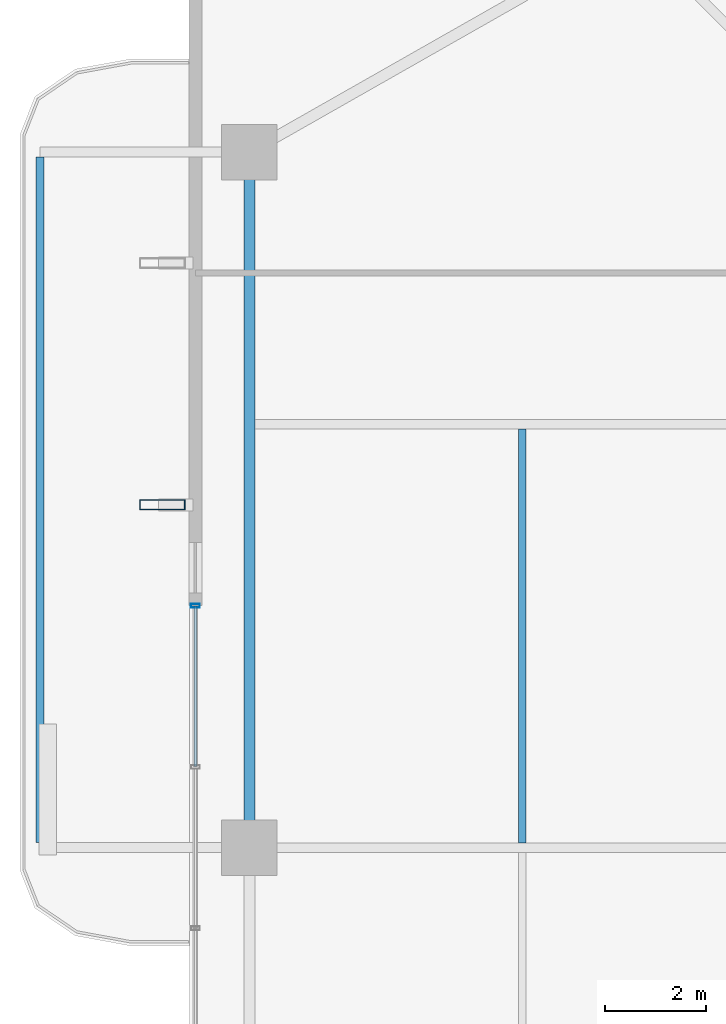
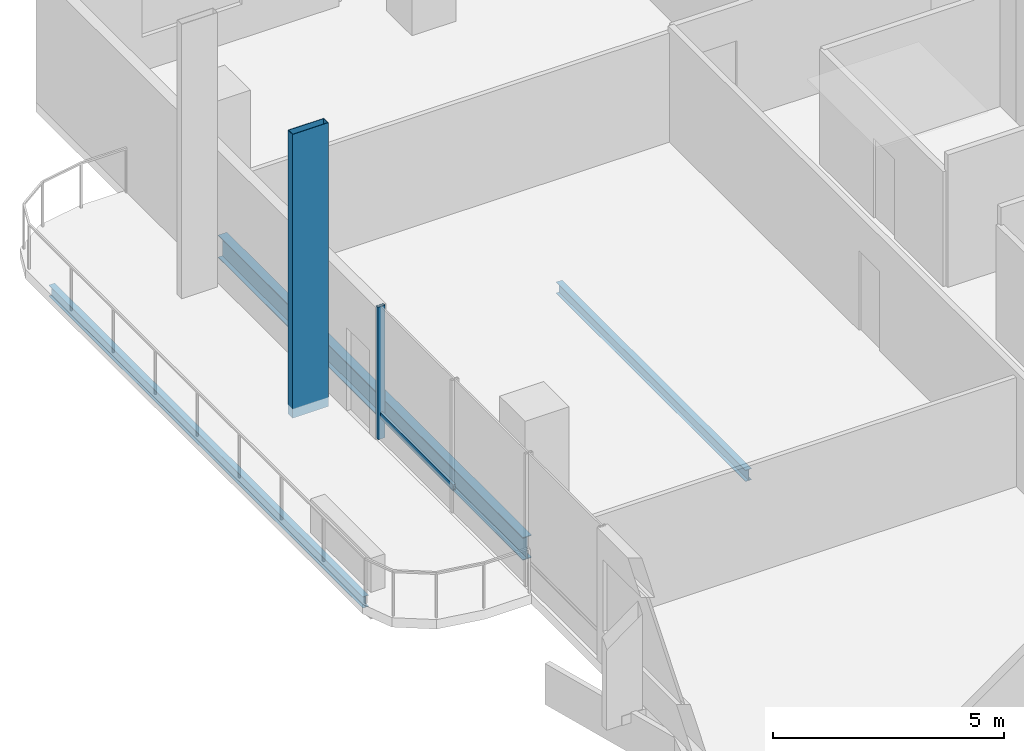
# One storey, part 9 of 24: 3 beams, 3 members, 1 element without a shape of its own.
"""IFC4 building model written with IfcOpenShell, lengths in metres."""

from ifc_helpers import new_model, si_unit, direction, frame, origin, origin_2d, place, context, subcontext, project, spatial, hollow_rectangle, i_section, extrude, material, layer, layer_set, material_profile, profile_set, type_object, element, aggregate, save


model = new_model("IFC4")

# Units and contexts
model_context = context("Model", 3, precision=1e-05, world=origin(), true_north=direction((0.0, 1.0)))
body_context = subcontext(model_context, "Body", "Model", "MODEL_VIEW")
ifc_project = project(units=[si_unit("LENGTHUNIT", "METRE"), si_unit("AREAUNIT", "SQUARE_METRE"), si_unit("VOLUMEUNIT", "CUBIC_METRE"), si_unit("PLANEANGLEUNIT", "RADIAN"), si_unit("MASSUNIT", "GRAM", prefix="KILO")], contexts=[model_context])

# Site, building, storey
site_placement = place(None, origin())
site = spatial("IfcSite", under=ifc_project, at=site_placement, CompositionType="ELEMENT")
building_placement = place(site_placement, origin())
building = spatial("IfcBuilding", under=site, at=building_placement, Name="Belovzor Exchange Tower", CompositionType="ELEMENT")
storey_placement = place(building_placement, frame((0.0, 0.0, 218.699951171875)))
storey = spatial("IfcBuildingStorey", under=building, at=storey_placement, Name="L54", CompositionType="ELEMENT", Elevation=218.699951171875)

# Beams
ifc_material_1 = material(Name="Steel S355", Category="steel")
ifc_material_profile_1 = material_profile(ifc_material_1, i_section(OverallWidth=0.14990234375, OverallDepth=0.300048828125, WebThickness=0.007080078125, FlangeThickness=0.0107421875, at=origin_2d()))
ifc_profile_set_1 = profile_set([ifc_material_profile_1], Name="Steel S355")
beam_type_1 = type_object("IfcBeamType", Name="Planted Balcony Fascia Edge Beam IPE 300", PredefinedType="BEAM", material=ifc_profile_set_1)
beam_1_placement = place(storey_placement, frame((-1.153076171875, 42.5, -0.39990234375), z_axis=(0.0, -1.0, 0.0), x_axis=(1.0, 0.0, 0.0)))
element("IfcBeam", 1, at=beam_1_placement, inside=storey, type_object=beam_type_1, Name="BC-300 Planted Balcony Fascia Edge Beam IPE 300", PredefinedType="BEAM", context=body_context, shape_type="SweptSolid", body=[
    extrude(i_section(OverallWidth=0.14990234375, OverallDepth=0.300048828125, WebThickness=0.007080078125, FlangeThickness=0.0107421875, at=origin_2d()), origin(), (0.0, 0.0, 1.0), 13.60009765625),
])
ifc_material_2 = material(Name="Steel S355", Category="steel")
ifc_material_profile_2 = material_profile(ifc_material_2, i_section(OverallWidth=0.14990234375, OverallDepth=0.300048828125, WebThickness=0.007080078125, FlangeThickness=0.0107421875, at=origin_2d()))
ifc_profile_set_2 = profile_set([ifc_material_profile_2], Name="Steel S355")
beam_type_2 = type_object("IfcBeamType", Name="Secondary Trim Floor Joist IPE 300", PredefinedType="BEAM", material=ifc_profile_set_2)
beam_2_placement = place(storey_placement, frame((8.4130859375, 28.89501953125, -0.39990234375), z_axis=(0.0, 1.0, 0.0), x_axis=(-1.0, 0.0, 0.0)))
element("IfcBeam", 2, at=beam_2_placement, inside=storey, type_object=beam_type_2, Name="FJ-300 Secondary Trim Floor Joist IPE 300", PredefinedType="BEAM", context=body_context, shape_type="SweptSolid", body=[
    extrude(i_section(OverallWidth=0.14990234375, OverallDepth=0.300048828125, WebThickness=0.007080078125, FlangeThickness=0.0107421875, at=origin_2d()), origin(), (0.0, 0.0, 1.0), 8.2099609375),
])

# Member
ifc_material_3 = material(Name="Extruded Architectural Terracotta on Steel S355 Carrier", Category="masonry")
ifc_material_profile_3 = material_profile(ifc_material_3, hollow_rectangle(XDim=0.199951171875, YDim=0.89990234375, WallThickness=0.011962890625, at=origin_2d()))
ifc_profile_set_3 = profile_set([ifc_material_profile_3], Name="Extruded Architectural Terracotta on Steel S355 Carrier")
member_type_1 = type_object("IfcMemberType", Name="Sweeping Terracotta Baguette Fin Assembly 950", PredefinedType="USERDEFINED", material=ifc_profile_set_3)
member_1_placement = place(storey_placement, frame((1.27490234375, 35.60009765625, -0.25), z_axis=(0.0, 0.0, 1.0), x_axis=(0.0, 1.0, 0.0)))
element("IfcMember", 3, at=member_1_placement, inside=storey, type_object=member_type_1, Name="FIN-TC095 Terracotta Facade Fin L54 W3", ObjectType="FIN", PredefinedType="USERDEFINED", context=body_context, shape_type="SweptSolid", body=[
    extrude(hollow_rectangle(XDim=0.199951171875, YDim=0.89990234375, WallThickness=0.011962890625, at=origin_2d()), origin(), (0.0, 0.0, 1.0), 7.5),
])

# Curtain wall, members
ifc_material_4 = material(Name="Anodised Aluminium Framing", Category="aluminium")
ifc_layer = layer(ifc_material_4, 0.179931640625)
ifc_layer_set = layer_set([ifc_layer], Name="Anodised Aluminium Framing")
curtain_wall_type = type_object("IfcCurtainWallType", Name="Recessed Loggia Low-Iron Triple-Glazed Curtain Wall", PredefinedType="NOTDEFINED", material=ifc_layer_set)
curtain_wall_placement = place(storey_placement, origin())
curtain_wall = element("IfcCurtainWall", 4, at=curtain_wall_placement, inside=storey, type_object=curtain_wall_type, Name="CW3 Recessed Loggia Low-Iron Triple-Glazed Curtain Wall L54", PredefinedType="NOTDEFINED")
ifc_material_5 = material(Name="Steel S355", Category="steel")
ifc_material_profile_4 = material_profile(ifc_material_5, hollow_rectangle(XDim=0.074951171875, YDim=0.179931640625, WallThickness=0.0048828125, at=origin_2d()))
ifc_profile_set_4 = profile_set([ifc_material_profile_4], Name="Steel S355")
member_type_2 = type_object("IfcMemberType", Name="Thermally Broken Curtain Wall Mullion 180x75", PredefinedType="MULLION", material=ifc_profile_set_4)
member_2_placement = place(storey_placement, frame((1.929931640625, 33.60009765625, 0.0), z_axis=(0.0, 0.0, 1.0), x_axis=(0.0, 1.0, 0.0)))
member_2 = element("IfcMember", 5, at=member_2_placement, type_object=member_type_2, Name="CW-M180 Curtain Wall Mullion 4", PredefinedType="MULLION", context=body_context, shape_type="SweptSolid", body=[
    extrude(hollow_rectangle(XDim=0.074951171875, YDim=0.179931640625, WallThickness=0.0048828125, at=origin_2d()), origin(), (0.0, 0.0, 1.0), 3.5),
])
ifc_material_6 = material(Name="Steel S355", Category="steel")
ifc_material_profile_5 = material_profile(ifc_material_6, hollow_rectangle(XDim=0.06005859375, YDim=0.14990234375, WallThickness=0.00390625, at=origin_2d()))
ifc_profile_set_5 = profile_set([ifc_material_profile_5], Name="Steel S355")
member_type_3 = type_object("IfcMemberType", Name="Thermally Broken Curtain Wall Transom 150x60", PredefinedType="USERDEFINED", material=ifc_profile_set_5)
member_3_placement = place(storey_placement, frame((1.929931640625, 30.407958984375, 0.630126953125), z_axis=(0.0, 1.0, 0.0), x_axis=(-1.0, 0.0, 0.0)))
member_3 = element("IfcMember", 6, at=member_3_placement, type_object=member_type_3, Name="CW-T150 Curtain Wall Transom 3", ObjectType="TRANSOM", PredefinedType="USERDEFINED", context=body_context, shape_type="SweptSolid", body=[
    extrude(hollow_rectangle(XDim=0.06005859375, YDim=0.14990234375, WallThickness=0.00390625, at=origin_2d()), origin(), (0.0, 0.0, 1.0), 3.18408203125),
])
aggregate(curtain_wall, [member_2, member_3])

# Beam
ifc_material_7 = material(Name="Steel S355", Category="steel")
ifc_material_profile_6 = material_profile(ifc_material_7, i_section(OverallWidth=0.219970703125, OverallDepth=0.60009765625, WebThickness=0.011962890625, FlangeThickness=0.01904296875, at=origin_2d()))
ifc_profile_set_6 = profile_set([ifc_material_profile_6], Name="Steel S355")
beam_type_3 = type_object("IfcBeamType", Name="Zone 4 Flare Primary Girder IPE 600", PredefinedType="BEAM", material=ifc_profile_set_6)
beam_3_placement = place(storey_placement, frame((3.0, 42.297119140625, -0.550048828125), z_axis=(0.0, -1.0, 0.0), x_axis=(1.0, 0.0, 0.0)))
element("IfcBeam", 7, at=beam_3_placement, inside=storey, type_object=beam_type_3, Name="FG-Z4 Zone 4 Flare Primary Girder IPE 600", PredefinedType="BEAM", context=body_context, shape_type="SweptSolid", body=[
    extrude(i_section(OverallWidth=0.219970703125, OverallDepth=0.60009765625, WebThickness=0.011962890625, FlangeThickness=0.01904296875, at=origin_2d()), origin(), (0.0, 0.0, 1.0), 13.195068359375),
])

save(model, "model.ifc")
